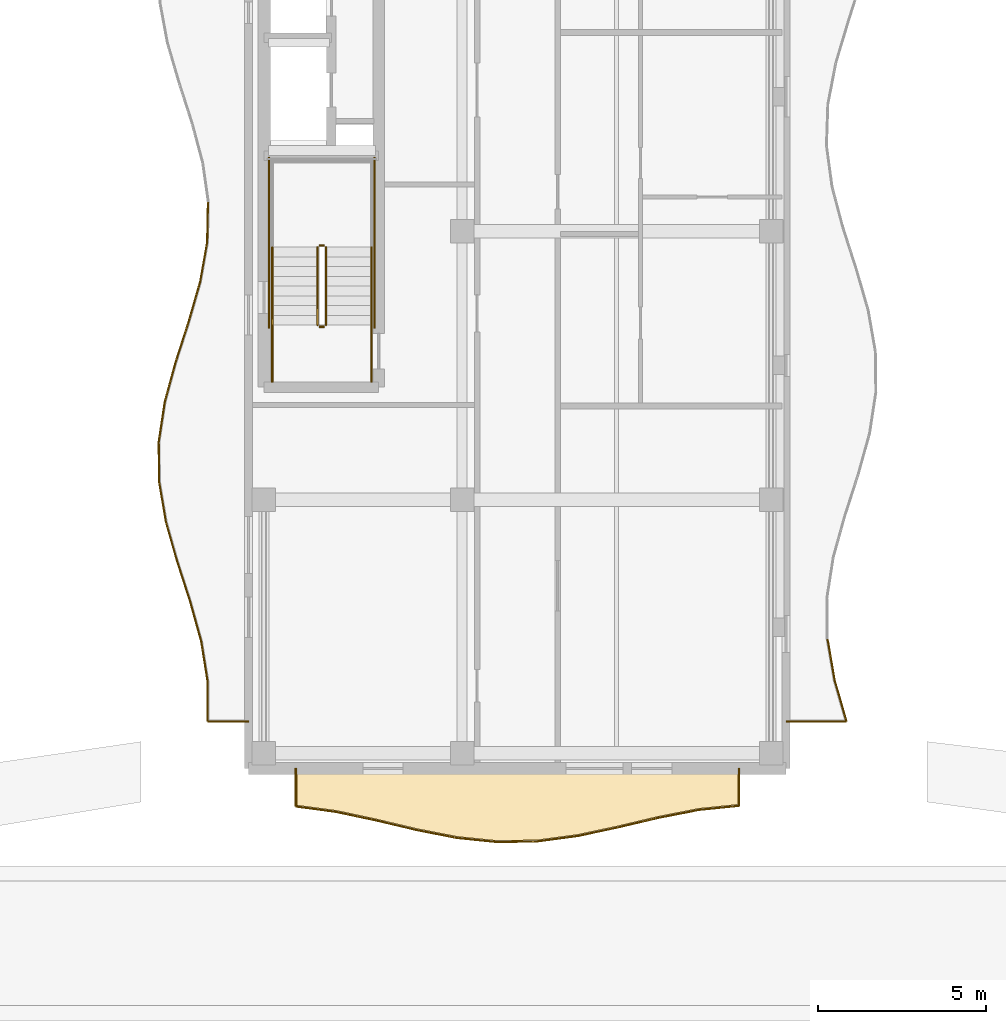
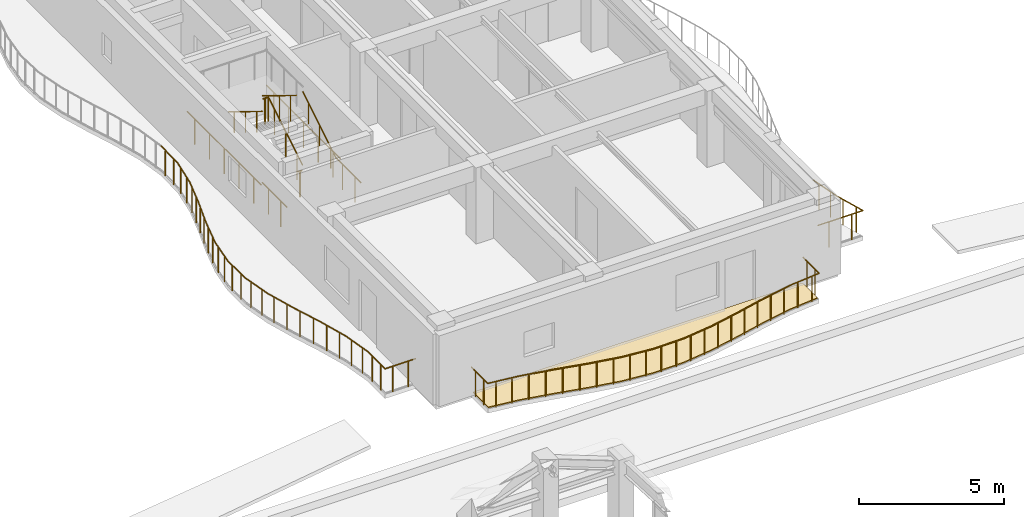
# One storey, part 110 of 128: 40 railings, 1 covering.
"""IFC4 building model written with IfcOpenShell, lengths in metres."""

from ifc_helpers import new_model, si_unit, direction, frame, origin, origin_2d, place, context, subcontext, project, spatial, polyline, circle, outline, extrude, material, layer, layer_set, type_object, element, save


model = new_model("IFC4")

# Units and contexts
model_context = context("Model", 3, precision=1e-05, world=origin(), true_north=direction((0.0, 1.0)))
body_context = subcontext(model_context, "Body", "Model", "MODEL_VIEW")
ifc_project = project(units=[si_unit("LENGTHUNIT", "METRE"), si_unit("AREAUNIT", "SQUARE_METRE"), si_unit("VOLUMEUNIT", "CUBIC_METRE"), si_unit("PLANEANGLEUNIT", "RADIAN"), si_unit("MASSUNIT", "GRAM", prefix="KILO")], contexts=[model_context])

# Site, building, storey
site_placement = place(None, origin())
site = spatial("IfcSite", under=ifc_project, at=site_placement, CompositionType="ELEMENT")
building_placement = place(site_placement, origin())
building = spatial("IfcBuilding", under=site, at=building_placement, Name="Keldmere Railside Commons", CompositionType="ELEMENT")
storey_placement = place(building_placement, frame((0.0, 0.0, 4.159912109375)))
storey = spatial("IfcBuildingStorey", under=building, at=storey_placement, Name="L01", CompositionType="ELEMENT", Elevation=4.159912109375)

# Railings
ifc_material_1 = material(Name="Steel F-24 (S235)", Category="steel")
railing_type_1 = type_object("IfcRailingType", Name="Balcony & Terrace Steel Balustrade 1100", PredefinedType="BALUSTRADE", material=ifc_material_1)
railing_1_placement = place(storey_placement, frame((120.0, 57.39990234375, 0.0)))
element("IfcRailing", 1, at=railing_1_placement, inside=storey, type_object=railing_type_1, Name="GR-1 GRD-L01-1881", PredefinedType="BALUSTRADE", context=body_context, shape_type="SweptSolid", body=[
    extrude(circle(Radius=0.02392578125, at=origin_2d()), frame((0.0, 0.0, 1.076171875), z_axis=(1.0, 0.0, 0.0), x_axis=(0.0, 1.0, 0.0)), (0.0, 0.0, 1.0), 1.794921875),
    extrude(circle(Radius=0.02099609375, at=origin_2d()), frame((0.44873046875, 0.0, 0.0)), (0.0, 0.0, 1.0), 1.048095703125),
    extrude(circle(Radius=0.02099609375, at=origin_2d()), frame((1.34619140625, 0.0, 0.0)), (0.0, 0.0, 1.0), 1.048095703125),
])
railing_2_placement = place(storey_placement, frame((121.794921875, 57.39990234375, 0.0)))
element("IfcRailing", 2, at=railing_2_placement, inside=storey, type_object=railing_type_1, Name="GR-1 GRD-L01-1882", PredefinedType="BALUSTRADE", context=body_context, shape_type="SweptSolid", body=[
    extrude(circle(Radius=0.02392578125, at=origin_2d()), frame((0.0, 0.0, 1.076171875), z_axis=(-0.276364916642, 0.961052773187, 0.0), x_axis=(-0.961052773187, -0.276364916642, 0.0)), (0.0, 0.0, 1.0), 1.274658203125),
    extrude(circle(Radius=0.02099609375, at=origin_2d()), frame((-0.088134765625, 0.30615234375, 0.0)), (0.0, 0.0, 1.0), 1.048095703125),
    extrude(circle(Radius=0.02099609375, at=origin_2d()), frame((-0.26416015625, 0.9189453125, 0.0)), (0.0, 0.0, 1.0), 1.048095703125),
])
railing_3_placement = place(storey_placement, frame((121.442626953125, 58.625, 0.0)))
element("IfcRailing", 3, at=railing_3_placement, inside=storey, type_object=railing_type_1, Name="GR-1 GRD-L01-1883", PredefinedType="BALUSTRADE", context=body_context, shape_type="SweptSolid", body=[
    extrude(circle(Radius=0.02392578125, at=origin_2d()), frame((0.0, 0.0, 1.076171875), z_axis=(-0.169492558024, 0.985531467166, 0.0), x_axis=(-0.985531467166, -0.169492558024, 0.0)), (0.0, 0.0, 1.0), 1.2431640625),
    extrude(circle(Radius=0.02099609375, at=origin_2d()), frame((-0.052734375, 0.30615234375, 0.0)), (0.0, 0.0, 1.0), 1.048095703125),
    extrude(circle(Radius=0.02099609375, at=origin_2d()), frame((-0.157958984375, 0.9189453125, 0.0)), (0.0, 0.0, 1.0), 1.048095703125),
])
railing_4_placement = place(storey_placement, frame((104.0, 57.39990234375, 0.0)))
element("IfcRailing", 4, at=railing_4_placement, inside=storey, type_object=railing_type_1, Name="GR-1 GRD-L01-1907", PredefinedType="BALUSTRADE", context=body_context, shape_type="SweptSolid", body=[
    extrude(circle(Radius=0.02392578125, at=origin_2d()), frame((0.0, 0.0, 1.076171875), z_axis=(-1.0, 0.0, 0.0), x_axis=(0.0, -1.0, 0.0)), (0.0, 0.0, 1.0), 1.2255859375),
    extrude(circle(Radius=0.02099609375, at=origin_2d()), frame((-0.306396484375, 0.0, 0.0)), (0.0, 0.0, 1.0), 1.048095703125),
    extrude(circle(Radius=0.02099609375, at=origin_2d()), frame((-0.919189453125, 0.0, 0.0)), (0.0, 0.0, 1.0), 1.048095703125),
])
railing_5_placement = place(storey_placement, frame((102.7744140625, 57.39990234375, 0.0)))
element("IfcRailing", 5, at=railing_5_placement, inside=storey, type_object=railing_type_1, Name="GR-1 GRD-L01-1908", PredefinedType="BALUSTRADE", context=body_context, shape_type="SweptSolid", body=[
    extrude(circle(Radius=0.02392578125, at=origin_2d()), frame((0.0, 0.0, 1.076171875), z_axis=(0.000821354959, 0.999999662688, 0.0), x_axis=(-0.999999662688, 0.000821354959, 0.0)), (0.0, 0.0, 1.0), 1.18896484375),
    extrude(circle(Radius=0.02099609375, at=origin_2d()), frame((0.000244140625, 0.29736328125, 0.0)), (0.0, 0.0, 1.0), 1.048095703125),
    extrude(circle(Radius=0.02099609375, at=origin_2d()), frame((0.000732421875, 0.8916015625, 0.0)), (0.0, 0.0, 1.0), 1.048095703125),
])
railing_6_placement = place(storey_placement, frame((102.775390625, 58.5888671875, 0.0)))
element("IfcRailing", 6, at=railing_6_placement, inside=storey, type_object=railing_type_1, Name="GR-1 GRD-L01-1909", PredefinedType="BALUSTRADE", context=body_context, shape_type="SweptSolid", body=[
    extrude(circle(Radius=0.02392578125, at=origin_2d()), frame((0.0, 0.0, 1.076171875), z_axis=(-0.157555517819, 0.987510130988, 0.0), x_axis=(-0.987510130988, -0.157555517819, 0.0)), (0.0, 0.0, 1.0), 1.2041015625),
    extrude(circle(Radius=0.02099609375, at=origin_2d()), frame((-0.04736328125, 0.29736328125, 0.0)), (0.0, 0.0, 1.0), 1.048095703125),
    extrude(circle(Radius=0.02099609375, at=origin_2d()), frame((-0.142333984375, 0.8916015625, 0.0)), (0.0, 0.0, 1.0), 1.048095703125),
])
railing_7_placement = place(storey_placement, frame((102.585693359375, 59.77783203125, 0.0)))
element("IfcRailing", 7, at=railing_7_placement, inside=storey, type_object=railing_type_1, Name="GR-1 GRD-L01-1910", PredefinedType="BALUSTRADE", context=body_context, shape_type="SweptSolid", body=[
    extrude(circle(Radius=0.02392578125, at=origin_2d()), frame((0.0, 0.0, 1.076171875), z_axis=(-0.268051958725, 0.963404456821, 0.0), x_axis=(-0.963404456821, -0.268051958725, 0.0)), (0.0, 0.0, 1.0), 1.234130859375),
    extrude(circle(Radius=0.02099609375, at=origin_2d()), frame((-0.082763671875, 0.29736328125, 0.0)), (0.0, 0.0, 1.0), 1.048095703125),
    extrude(circle(Radius=0.02099609375, at=origin_2d()), frame((-0.248046875, 0.8916015625, 0.0)), (0.0, 0.0, 1.0), 1.048095703125),
])
railing_8_placement = place(storey_placement, frame((102.2548828125, 60.966796875, 0.0)))
element("IfcRailing", 8, at=railing_8_placement, inside=storey, type_object=railing_type_1, Name="GR-1 GRD-L01-1911", PredefinedType="BALUSTRADE", context=body_context, shape_type="SweptSolid", body=[
    extrude(circle(Radius=0.02392578125, at=origin_2d()), frame((0.0, 0.0, 1.076171875), z_axis=(-0.307773459681, 0.951459666784, 0.0), x_axis=(-0.951459666784, -0.307773459681, 0.0)), (0.0, 0.0, 1.0), 1.249267578125),
    extrude(circle(Radius=0.02099609375, at=origin_2d()), frame((-0.09619140625, 0.297119140625, 0.0)), (0.0, 0.0, 1.0), 1.048095703125),
    extrude(circle(Radius=0.02099609375, at=origin_2d()), frame((-0.288330078125, 0.8916015625, 0.0)), (0.0, 0.0, 1.0), 1.048095703125),
])
railing_9_placement = place(storey_placement, frame((101.870361328125, 62.155517578125, 0.0)))
element("IfcRailing", 9, at=railing_9_placement, inside=storey, type_object=railing_type_1, Name="GR-1 GRD-L01-1912", PredefinedType="BALUSTRADE", context=body_context, shape_type="SweptSolid", body=[
    extrude(circle(Radius=0.02392578125, at=origin_2d()), frame((0.0, 0.0, 1.076171875), z_axis=(-0.272998744595, 0.962014389419, 0.0), x_axis=(-0.962014389419, -0.272998744595, 0.0)), (0.0, 0.0, 1.0), 1.23583984375),
    extrude(circle(Radius=0.02099609375, at=origin_2d()), frame((-0.08447265625, 0.29736328125, 0.0)), (0.0, 0.0, 1.0), 1.048095703125),
    extrude(circle(Radius=0.02099609375, at=origin_2d()), frame((-0.2529296875, 0.8916015625, 0.0)), (0.0, 0.0, 1.0), 1.048095703125),
])
railing_10_placement = place(storey_placement, frame((101.532958984375, 63.344482421875, 0.0)))
element("IfcRailing", 10, at=railing_10_placement, inside=storey, type_object=railing_type_1, Name="GR-1 GRD-L01-1913", PredefinedType="BALUSTRADE", context=body_context, shape_type="SweptSolid", body=[
    extrude(circle(Radius=0.02392578125, at=origin_2d()), frame((0.0, 0.0, 1.076171875), z_axis=(-0.167058185806, 0.985947038413, 0.0), x_axis=(-0.985947038413, -0.167058185806, 0.0)), (0.0, 0.0, 1.0), 1.20556640625),
    extrude(circle(Radius=0.02099609375, at=origin_2d()), frame((-0.05029296875, 0.297119140625, 0.0)), (0.0, 0.0, 1.0), 1.048095703125),
    extrude(circle(Radius=0.02099609375, at=origin_2d()), frame((-0.151123046875, 0.8916015625, 0.0)), (0.0, 0.0, 1.0), 1.048095703125),
])
railing_11_placement = place(storey_placement, frame((101.33154296875, 64.533203125, 0.0)))
element("IfcRailing", 11, at=railing_11_placement, inside=storey, type_object=railing_type_1, Name="GR-1 GRD-L01-1914", PredefinedType="BALUSTRADE", context=body_context, shape_type="SweptSolid", body=[
    extrude(circle(Radius=0.02392578125, at=origin_2d()), frame((0.0, 0.0, 1.076171875), z_axis=(-0.010266399375, 0.999947299133, 0.0), x_axis=(-0.999947299133, -0.010266399375, 0.0)), (0.0, 0.0, 1.0), 1.18896484375),
    extrude(circle(Radius=0.02099609375, at=origin_2d()), frame((-0.0029296875, 0.29736328125, 0.0)), (0.0, 0.0, 1.0), 1.048095703125),
    extrude(circle(Radius=0.02099609375, at=origin_2d()), frame((-0.00927734375, 0.8916015625, 0.0)), (0.0, 0.0, 1.0), 1.048095703125),
])
railing_12_placement = place(storey_placement, frame((101.3193359375, 65.72216796875, 0.0)))
element("IfcRailing", 12, at=railing_12_placement, inside=storey, type_object=railing_type_1, Name="GR-1 GRD-L01-1915", PredefinedType="BALUSTRADE", context=body_context, shape_type="SweptSolid", body=[
    extrude(circle(Radius=0.02392578125, at=origin_2d()), frame((0.0, 0.0, 1.076171875), z_axis=(0.149630963343, 0.988741915168, 0.0), x_axis=(-0.988741915168, 0.149630963343, 0.0)), (0.0, 0.0, 1.0), 1.202392578125),
    extrude(circle(Radius=0.02099609375, at=origin_2d()), frame((0.044921875, 0.29736328125, 0.0)), (0.0, 0.0, 1.0), 1.048095703125),
    extrude(circle(Radius=0.02099609375, at=origin_2d()), frame((0.135009765625, 0.8916015625, 0.0)), (0.0, 0.0, 1.0), 1.048095703125),
])
railing_13_placement = place(storey_placement, frame((101.499267578125, 66.9111328125, 0.0)))
element("IfcRailing", 13, at=railing_13_placement, inside=storey, type_object=railing_type_1, Name="GR-1 GRD-L01-1916", PredefinedType="BALUSTRADE", context=body_context, shape_type="SweptSolid", body=[
    extrude(circle(Radius=0.02392578125, at=origin_2d()), frame((0.0, 0.0, 1.076171875), z_axis=(0.263452610118, 0.964672339306, 0.0), x_axis=(-0.964672339306, 0.263452610118, 0.0)), (0.0, 0.0, 1.0), 1.232421875),
    extrude(circle(Radius=0.02099609375, at=origin_2d()), frame((0.0810546875, 0.29736328125, 0.0)), (0.0, 0.0, 1.0), 1.048095703125),
    extrude(circle(Radius=0.02099609375, at=origin_2d()), frame((0.24365234375, 0.8916015625, 0.0)), (0.0, 0.0, 1.0), 1.048095703125),
])
railing_14_placement = place(storey_placement, frame((101.823974609375, 68.10009765625, 0.0)))
element("IfcRailing", 14, at=railing_14_placement, inside=storey, type_object=railing_type_1, Name="GR-1 GRD-L01-1917", PredefinedType="BALUSTRADE", context=body_context, shape_type="SweptSolid", body=[
    extrude(circle(Radius=0.02392578125, at=origin_2d()), frame((0.0, 0.0, 1.076171875), z_axis=(0.307596542281, 0.95151687698, 0.0), x_axis=(-0.95151687698, 0.307596542281, 0.0)), (0.0, 0.0, 1.0), 1.249267578125),
    extrude(circle(Radius=0.02099609375, at=origin_2d()), frame((0.09619140625, 0.297119140625, 0.0)), (0.0, 0.0, 1.0), 1.048095703125),
    extrude(circle(Radius=0.02099609375, at=origin_2d()), frame((0.2880859375, 0.8916015625, 0.0)), (0.0, 0.0, 1.0), 1.048095703125),
])
railing_15_placement = place(storey_placement, frame((102.208251953125, 69.288818359375, 0.0)))
element("IfcRailing", 15, at=railing_15_placement, inside=storey, type_object=railing_type_1, Name="GR-1 GRD-L01-1918", PredefinedType="BALUSTRADE", context=body_context, shape_type="SweptSolid", body=[
    extrude(circle(Radius=0.02392578125, at=origin_2d()), frame((0.0, 0.0, 1.076171875), z_axis=(0.277013529605, 0.960866017932, 0.0), x_axis=(-0.960866017932, 0.277013529605, 0.0)), (0.0, 0.0, 1.0), 1.2373046875),
    extrude(circle(Radius=0.02099609375, at=origin_2d()), frame((0.085693359375, 0.29736328125, 0.0)), (0.0, 0.0, 1.0), 1.048095703125),
    extrude(circle(Radius=0.02099609375, at=origin_2d()), frame((0.257080078125, 0.8916015625, 0.0)), (0.0, 0.0, 1.0), 1.048095703125),
])
railing_16_placement = place(storey_placement, frame((102.551025390625, 70.477783203125, 0.0)))
element("IfcRailing", 16, at=railing_16_placement, inside=storey, type_object=railing_type_1, Name="GR-1 GRD-L01-1919", PredefinedType="BALUSTRADE", context=body_context, shape_type="SweptSolid", body=[
    extrude(circle(Radius=0.02392578125, at=origin_2d()), frame((0.0, 0.0, 1.076171875), z_axis=(0.174488879216, 0.984659144593, 0.0), x_axis=(-0.984659144593, 0.174488879216, 0.0)), (0.0, 0.0, 1.0), 1.20751953125),
    extrude(circle(Radius=0.02099609375, at=origin_2d()), frame((0.052734375, 0.29736328125, 0.0)), (0.0, 0.0, 1.0), 1.048095703125),
    extrude(circle(Radius=0.02099609375, at=origin_2d()), frame((0.157958984375, 0.8916015625, 0.0)), (0.0, 0.0, 1.0), 1.048095703125),
])
railing_17_placement = place(storey_placement, frame((102.76171875, 71.666748046875, 0.0)))
element("IfcRailing", 17, at=railing_17_placement, inside=storey, type_object=railing_type_1, Name="GR-1 GRD-L01-1920", PredefinedType="BALUSTRADE", context=body_context, shape_type="SweptSolid", body=[
    extrude(circle(Radius=0.02392578125, at=origin_2d()), frame((0.0, 0.0, 1.076171875), z_axis=(0.019913914731, 0.999801698338, 0.0), x_axis=(-0.999801698338, 0.019913914731, 0.0)), (0.0, 0.0, 1.0), 1.189208984375),
    extrude(circle(Radius=0.02099609375, at=origin_2d()), frame((0.005859375, 0.29736328125, 0.0)), (0.0, 0.0, 1.0), 1.048095703125),
    extrude(circle(Radius=0.02099609375, at=origin_2d()), frame((0.017822265625, 0.8916015625, 0.0)), (0.0, 0.0, 1.0), 1.048095703125),
])
railing_18_placement = place(storey_placement, frame((105.39990234375, 56.0, 0.0)))
element("IfcRailing", 18, at=railing_18_placement, inside=storey, type_object=railing_type_1, Name="GR-1 GRD-L01-1962", PredefinedType="BALUSTRADE", context=body_context, shape_type="SweptSolid", body=[
    extrude(circle(Radius=0.02392578125, at=origin_2d()), frame((0.0, 0.0, 1.076171875), z_axis=(0.0, -1.0, 0.0), x_axis=(1.0, 0.0, 0.0)), (0.0, 0.0, 1.0), 1.131103515625),
    extrude(circle(Radius=0.02099609375, at=origin_2d()), frame((0.0, -0.28271484375, 0.0)), (0.0, 0.0, 1.0), 1.048095703125),
    extrude(circle(Radius=0.02099609375, at=origin_2d()), frame((0.0, -0.848388671875, 0.0)), (0.0, 0.0, 1.0), 1.048095703125),
])
railing_19_placement = place(storey_placement, frame((105.39990234375, 54.868896484375, 0.0)))
element("IfcRailing", 19, at=railing_19_placement, inside=storey, type_object=railing_type_1, Name="GR-1 GRD-L01-1963", PredefinedType="BALUSTRADE", context=body_context, shape_type="SweptSolid", body=[
    extrude(circle(Radius=0.02392578125, at=origin_2d()), frame((0.0, 0.0, 1.076171875), z_axis=(0.991160860662, -0.132665550512, 0.0), x_axis=(0.132665550512, 0.991160860662, 0.0)), (0.0, 0.0, 1.0), 1.2109375),
    extrude(circle(Radius=0.02099609375, at=origin_2d()), frame((0.300048828125, -0.0400390625, 0.0)), (0.0, 0.0, 1.0), 1.048095703125),
    extrude(circle(Radius=0.02099609375, at=origin_2d()), frame((0.900146484375, -0.12060546875, 0.0)), (0.0, 0.0, 1.0), 1.048095703125),
])
railing_20_placement = place(storey_placement, frame((106.60009765625, 54.708251953125, 0.0)))
element("IfcRailing", 20, at=railing_20_placement, inside=storey, type_object=railing_type_1, Name="GR-1 GRD-L01-1964", PredefinedType="BALUSTRADE", context=body_context, shape_type="SweptSolid", body=[
    extrude(circle(Radius=0.02392578125, at=origin_2d()), frame((0.0, 0.0, 1.076171875), z_axis=(0.977892583641, -0.20910785461, 0.0), x_axis=(0.20910785461, 0.977892583641, 0.0)), (0.0, 0.0, 1.0), 1.22705078125),
    extrude(circle(Radius=0.02099609375, at=origin_2d()), frame((0.300048828125, -0.064208984375, 0.0)), (0.0, 0.0, 1.0), 1.048095703125),
    extrude(circle(Radius=0.02099609375, at=origin_2d()), frame((0.89990234375, -0.1923828125, 0.0)), (0.0, 0.0, 1.0), 1.048095703125),
])
railing_21_placement = place(storey_placement, frame((107.800048828125, 54.45166015625, 0.0)))
element("IfcRailing", 21, at=railing_21_placement, inside=storey, type_object=railing_type_1, Name="GR-1 GRD-L01-1965", PredefinedType="BALUSTRADE", context=body_context, shape_type="SweptSolid", body=[
    extrude(circle(Radius=0.02392578125, at=origin_2d()), frame((0.0, 0.0, 1.076171875), z_axis=(0.973128173915, -0.230264103004, 0.0), x_axis=(0.230264103004, 0.973128173915, 0.0)), (0.0, 0.0, 1.0), 1.233154296875),
    extrude(circle(Radius=0.02099609375, at=origin_2d()), frame((0.300048828125, -0.071044921875, 0.0)), (0.0, 0.0, 1.0), 1.048095703125),
    extrude(circle(Radius=0.02099609375, at=origin_2d()), frame((0.89990234375, -0.212890625, 0.0)), (0.0, 0.0, 1.0), 1.048095703125),
])
railing_22_placement = place(storey_placement, frame((109.0, 54.167724609375, 0.0)))
element("IfcRailing", 22, at=railing_22_placement, inside=storey, type_object=railing_type_1, Name="GR-1 GRD-L01-1966", PredefinedType="BALUSTRADE", context=body_context, shape_type="SweptSolid", body=[
    extrude(circle(Radius=0.02392578125, at=origin_2d()), frame((0.0, 0.0, 1.076171875), z_axis=(0.981378747174, -0.192082676456, 0.0), x_axis=(0.192082676456, 0.981378747174, 0.0)), (0.0, 0.0, 1.0), 1.22265625),
    extrude(circle(Radius=0.02099609375, at=origin_2d()), frame((0.300048828125, -0.05859375, 0.0)), (0.0, 0.0, 1.0), 1.048095703125),
    extrude(circle(Radius=0.02099609375, at=origin_2d()), frame((0.89990234375, -0.17626953125, 0.0)), (0.0, 0.0, 1.0), 1.048095703125),
])
railing_23_placement = place(storey_placement, frame((110.199951171875, 53.932861328125, 0.0)))
element("IfcRailing", 23, at=railing_23_placement, inside=storey, type_object=railing_type_1, Name="GR-1 GRD-L01-1967", PredefinedType="BALUSTRADE", context=body_context, shape_type="SweptSolid", body=[
    extrude(circle(Radius=0.02392578125, at=origin_2d()), frame((0.0, 0.0, 1.076171875), z_axis=(0.99476298707, -0.102208608031, 0.0), x_axis=(0.102208608031, 0.99476298707, 0.0)), (0.0, 0.0, 1.0), 1.206298828125),
    extrude(circle(Radius=0.02099609375, at=origin_2d()), frame((0.300048828125, -0.03076171875, 0.0)), (0.0, 0.0, 1.0), 1.048095703125),
    extrude(circle(Radius=0.02099609375, at=origin_2d()), frame((0.89990234375, -0.092529296875, 0.0)), (0.0, 0.0, 1.0), 1.048095703125),
])
railing_24_placement = place(storey_placement, frame((111.39990234375, 53.8095703125, 0.0)))
element("IfcRailing", 24, at=railing_24_placement, inside=storey, type_object=railing_type_1, Name="GR-1 GRD-L01-1968", PredefinedType="BALUSTRADE", context=body_context, shape_type="SweptSolid", body=[
    extrude(circle(Radius=0.02392578125, at=origin_2d()), frame((0.0, 0.0, 1.076171875), z_axis=(0.999839820386, 0.01789786497, 0.0), x_axis=(-0.01789786497, 0.999839820386, 0.0)), (0.0, 0.0, 1.0), 1.200439453125),
    extrude(circle(Radius=0.02099609375, at=origin_2d()), frame((0.300048828125, 0.00537109375, 0.0)), (0.0, 0.0, 1.0), 1.048095703125),
    extrude(circle(Radius=0.02099609375, at=origin_2d()), frame((0.900146484375, 0.01611328125, 0.0)), (0.0, 0.0, 1.0), 1.048095703125),
])
railing_25_placement = place(storey_placement, frame((112.60009765625, 53.8310546875, 0.0)))
element("IfcRailing", 25, at=railing_25_placement, inside=storey, type_object=railing_type_1, Name="GR-1 GRD-L01-1969", PredefinedType="BALUSTRADE", context=body_context, shape_type="SweptSolid", body=[
    extrude(circle(Radius=0.02392578125, at=origin_2d()), frame((0.0, 0.0, 1.076171875), z_axis=(0.991157311067, 0.13269206728, 0.0), x_axis=(-0.13269206728, 0.991157311067, 0.0)), (0.0, 0.0, 1.0), 1.210693359375),
    extrude(circle(Radius=0.02099609375, at=origin_2d()), frame((0.300048828125, 0.0400390625, 0.0)), (0.0, 0.0, 1.0), 1.048095703125),
    extrude(circle(Radius=0.02099609375, at=origin_2d()), frame((0.89990234375, 0.12060546875, 0.0)), (0.0, 0.0, 1.0), 1.048095703125),
])
railing_26_placement = place(storey_placement, frame((113.800048828125, 53.99169921875, 0.0)))
element("IfcRailing", 26, at=railing_26_placement, inside=storey, type_object=railing_type_1, Name="GR-1 GRD-L01-1970", PredefinedType="BALUSTRADE", context=body_context, shape_type="SweptSolid", body=[
    extrude(circle(Radius=0.02392578125, at=origin_2d()), frame((0.0, 0.0, 1.076171875), z_axis=(0.977892583641, 0.20910785461, 0.0), x_axis=(-0.20910785461, 0.977892583641, 0.0)), (0.0, 0.0, 1.0), 1.22705078125),
    extrude(circle(Radius=0.02099609375, at=origin_2d()), frame((0.300048828125, 0.064208984375, 0.0)), (0.0, 0.0, 1.0), 1.048095703125),
    extrude(circle(Radius=0.02099609375, at=origin_2d()), frame((0.89990234375, 0.1923828125, 0.0)), (0.0, 0.0, 1.0), 1.048095703125),
])
railing_27_placement = place(storey_placement, frame((115.0, 54.248291015625, 0.0)))
element("IfcRailing", 27, at=railing_27_placement, inside=storey, type_object=railing_type_1, Name="GR-1 GRD-L01-1971", PredefinedType="BALUSTRADE", context=body_context, shape_type="SweptSolid", body=[
    extrude(circle(Radius=0.02392578125, at=origin_2d()), frame((0.0, 0.0, 1.076171875), z_axis=(0.973128173915, 0.230264103004, 0.0), x_axis=(-0.230264103004, 0.973128173915, 0.0)), (0.0, 0.0, 1.0), 1.233154296875),
    extrude(circle(Radius=0.02099609375, at=origin_2d()), frame((0.300048828125, 0.071044921875, 0.0)), (0.0, 0.0, 1.0), 1.048095703125),
    extrude(circle(Radius=0.02099609375, at=origin_2d()), frame((0.89990234375, 0.212890625, 0.0)), (0.0, 0.0, 1.0), 1.048095703125),
])
railing_28_placement = place(storey_placement, frame((116.199951171875, 54.5322265625, 0.0)))
element("IfcRailing", 28, at=railing_28_placement, inside=storey, type_object=railing_type_1, Name="GR-1 GRD-L01-1972", PredefinedType="BALUSTRADE", context=body_context, shape_type="SweptSolid", body=[
    extrude(circle(Radius=0.02392578125, at=origin_2d()), frame((0.0, 0.0, 1.076171875), z_axis=(0.981378747174, 0.192082676456, 0.0), x_axis=(-0.192082676456, 0.981378747174, 0.0)), (0.0, 0.0, 1.0), 1.22265625),
    extrude(circle(Radius=0.02099609375, at=origin_2d()), frame((0.300048828125, 0.05859375, 0.0)), (0.0, 0.0, 1.0), 1.048095703125),
    extrude(circle(Radius=0.02099609375, at=origin_2d()), frame((0.89990234375, 0.17626953125, 0.0)), (0.0, 0.0, 1.0), 1.048095703125),
])
railing_29_placement = place(storey_placement, frame((117.39990234375, 54.76708984375, 0.0)))
element("IfcRailing", 29, at=railing_29_placement, inside=storey, type_object=railing_type_1, Name="GR-1 GRD-L01-1973", PredefinedType="BALUSTRADE", context=body_context, shape_type="SweptSolid", body=[
    extrude(circle(Radius=0.02392578125, at=origin_2d()), frame((0.0, 0.0, 1.076171875), z_axis=(0.994765100753, 0.10218803415, 0.0), x_axis=(-0.10218803415, 0.994765100753, 0.0)), (0.0, 0.0, 1.0), 1.20654296875),
    extrude(circle(Radius=0.02099609375, at=origin_2d()), frame((0.300048828125, 0.03076171875, 0.0)), (0.0, 0.0, 1.0), 1.048095703125),
    extrude(circle(Radius=0.02099609375, at=origin_2d()), frame((0.900146484375, 0.092529296875, 0.0)), (0.0, 0.0, 1.0), 1.048095703125),
])
railing_30_placement = place(storey_placement, frame((118.60009765625, 54.890380859375, 0.0)))
element("IfcRailing", 30, at=railing_30_placement, inside=storey, type_object=railing_type_1, Name="GR-1 GRD-L01-1974", PredefinedType="BALUSTRADE", context=body_context, shape_type="SweptSolid", body=[
    extrude(circle(Radius=0.02392578125, at=origin_2d()), frame((0.0, 0.0, 1.076171875), z_axis=(0.0, 1.0, 0.0), x_axis=(-1.0, 0.0, 0.0)), (0.0, 0.0, 1.0), 1.109619140625),
    extrude(circle(Radius=0.02099609375, at=origin_2d()), frame((0.0, 0.27734375, 0.0)), (0.0, 0.0, 1.0), 1.048095703125),
    extrude(circle(Radius=0.02099609375, at=origin_2d()), frame((0.0, 0.832275390625, 0.0)), (0.0, 0.0, 1.0), 1.048095703125),
])
railing_type_2 = type_object("IfcRailingType", Name="Stair Well Steel Guardrail 1100", PredefinedType="BALUSTRADE", material=ifc_material_1)
railing_31_placement = place(storey_placement, frame((106.300048828125, 69.199951171875, 0.177978515625)))
element("IfcRailing", 31, at=railing_31_placement, inside=storey, type_object=railing_type_2, Name="L01 ST-B1 stair guard 1", PredefinedType="BALUSTRADE", context=body_context, shape_type="SweptSolid", body=[
    extrude(circle(Radius=0.02392578125, at=origin_2d()), frame((0.0, 0.0, 1.076171875), z_axis=(0.0, 0.852578041948, 0.522599925744), x_axis=(-1.0, 0.0, 0.0)), (0.0, 0.0, 1.0), 2.72119140625),
    extrude(circle(Radius=0.02099609375, at=origin_2d()), frame((0.0, 0.38671875, 0.237060546875)), (0.0, 0.0, 1.0), 1.048095703125),
    extrude(circle(Radius=0.02099609375, at=origin_2d()), frame((0.0, 1.16015625, 0.7109375)), (0.0, 0.0, 1.0), 1.048095703125),
    extrude(circle(Radius=0.02099609375, at=origin_2d()), frame((0.0, 1.933349609375, 1.18505859375)), (0.0, 0.0, 1.0), 1.048095703125),
])
railing_32_placement = place(storey_placement, frame((106.25, 71.570068359375, 1.60009765625)))
element("IfcRailing", 32, at=railing_32_placement, inside=storey, type_object=railing_type_2, Name="L01 ST-B1 stair guard 2", PredefinedType="BALUSTRADE", context=body_context, shape_type="SweptSolid", body=[
    extrude(circle(Radius=0.02392578125, at=origin_2d()), frame((0.0, 0.0, 1.076171875), z_axis=(-1.0, 0.0, 0.0), x_axis=(0.0, -1.0, 0.0)), (0.0, 0.0, 1.0), 0.14990234375),
    extrude(circle(Radius=0.02099609375, at=origin_2d()), frame((-0.074951171875, 0.0, 0.0)), (0.0, 0.0, 1.0), 1.048095703125),
])
railing_33_placement = place(storey_placement, frame((106.050048828125, 71.52001953125, 1.77783203125)))
element("IfcRailing", 33, at=railing_33_placement, inside=storey, type_object=railing_type_2, Name="L01 ST-B1 stair guard 6", PredefinedType="BALUSTRADE", context=body_context, shape_type="SweptSolid", body=[
    extrude(circle(Radius=0.02392578125, at=origin_2d()), frame((0.0, 0.0, 1.076171875), z_axis=(0.0, -0.852538067394, 0.522665135287), x_axis=(1.0, 0.0, 0.0)), (0.0, 0.0, 1.0), 2.721435546875),
    extrude(circle(Radius=0.02099609375, at=origin_2d()), frame((0.0, -0.38671875, 0.237060546875)), (0.0, 0.0, 1.0), 1.048095703125),
    extrude(circle(Radius=0.02099609375, at=origin_2d()), frame((0.0, -1.16015625, 0.711181640625)), (0.0, 0.0, 1.0), 1.048095703125),
    extrude(circle(Radius=0.02099609375, at=origin_2d()), frame((0.0, -1.933349609375, 1.185302734375)), (0.0, 0.0, 1.0), 1.048095703125),
])
railing_34_placement = place(storey_placement, frame((106.25, 69.14990234375, 0.0)))
element("IfcRailing", 34, at=railing_34_placement, inside=storey, type_object=railing_type_2, Name="L01 ST-B1 stair guard 7", PredefinedType="BALUSTRADE", context=body_context, shape_type="SweptSolid", body=[
    extrude(circle(Radius=0.02392578125, at=origin_2d()), frame((0.0, 0.0, 1.076171875), z_axis=(-1.0, 0.0, 0.0), x_axis=(0.0, -1.0, 0.0)), (0.0, 0.0, 1.0), 0.14990234375),
    extrude(circle(Radius=0.02099609375, at=origin_2d()), frame((-0.074951171875, 0.0, 0.0)), (0.0, 0.0, 1.0), 1.048095703125),
])
for number, where, name in (
    (35, (107.64990234375, 67.5, 0.0), "L01 ST-B1 stair guard 8"),
    (36, (104.699951171875, 67.5, 0.0), "L01 ST-B1 stair guard 9"),
):
    element("IfcRailing", number, at=place(storey_placement, frame(where)), inside=storey, type_object=railing_type_2, Name=name, PredefinedType="BALUSTRADE", context=body_context, shape_type="SweptSolid", body=[
        extrude(circle(Radius=0.02392578125, at=origin_2d()), frame((0.0, 0.0, 1.076171875), z_axis=(0.0, 1.0, 0.0), x_axis=(-1.0, 0.0, 0.0)), (0.0, 0.0, 1.0), 1.699951171875),
        extrude(circle(Radius=0.02099609375, at=origin_2d()), frame((0.0, 0.425048828125, 0.0)), (0.0, 0.0, 1.0), 1.048095703125),
        extrude(circle(Radius=0.02099609375, at=origin_2d()), frame((0.0, 1.27490234375, 0.0)), (0.0, 0.0, 1.0), 1.048095703125),
    ])
for number, where, name in (
    (37, (107.75, 69.10009765625, 0.0), "L01 ST-B1 stair guard 10"),
    (38, (104.60009765625, 69.10009765625, 0.0), "L01 ST-B1 stair guard 11"),
):
    element("IfcRailing", number, at=place(storey_placement, frame(where)), inside=storey, type_object=railing_type_2, Name=name, PredefinedType="BALUSTRADE", context=body_context, shape_type="SweptSolid", body=[
        extrude(circle(Radius=0.02392578125, at=origin_2d()), frame((0.0, 0.0, 1.076171875), z_axis=(0.0, 1.0, 0.0), x_axis=(-1.0, 0.0, 0.0)), (0.0, 0.0, 1.0), 5.099853515625),
        extrude(circle(Radius=0.02099609375, at=origin_2d()), frame((0.0, 0.510009765625, 0.0)), (0.0, 0.0, 1.0), 1.048095703125),
        extrude(circle(Radius=0.02099609375, at=origin_2d()), frame((0.0, 1.530029296875, 0.0)), (0.0, 0.0, 1.0), 1.048095703125),
        extrude(circle(Radius=0.02099609375, at=origin_2d()), frame((0.0, 2.5498046875, 0.0)), (0.0, 0.0, 1.0), 1.048095703125),
        extrude(circle(Radius=0.02099609375, at=origin_2d()), frame((0.0, 3.56982421875, 0.0)), (0.0, 0.0, 1.0), 1.048095703125),
        extrude(circle(Radius=0.02099609375, at=origin_2d()), frame((0.0, 4.58984375, 0.0)), (0.0, 0.0, 1.0), 1.048095703125),
    ])
railing_type_3 = type_object("IfcRailingType", Name="Wall-Mounted Tubular Steel Handrail 900", PredefinedType="HANDRAIL", material=ifc_material_1)
railing_35_placement = place(storey_placement, frame((107.64990234375, 69.199951171875, 0.177978515625)))
element("IfcRailing", 39, at=railing_35_placement, inside=storey, type_object=railing_type_3, Name="L01 ST-B1 stair handrail 1", PredefinedType="HANDRAIL", context=body_context, shape_type="SweptSolid", body=[
    extrude(circle(Radius=0.02392578125, at=origin_2d()), frame((0.0, 0.0, 0.8759765625), z_axis=(0.0, 0.852578041948, 0.522599925744), x_axis=(-1.0, 0.0, 0.0)), (0.0, 0.0, 1.0), 2.72119140625),
    extrude(circle(Radius=0.02099609375, at=origin_2d()), frame((0.0, 0.38671875, 0.237060546875)), (0.0, 0.0, 1.0), 0.847900390625),
    extrude(circle(Radius=0.02099609375, at=origin_2d()), frame((0.0, 1.16015625, 0.7109375)), (0.0, 0.0, 1.0), 0.847900390625),
    extrude(circle(Radius=0.02099609375, at=origin_2d()), frame((0.0, 1.933349609375, 1.18505859375)), (0.0, 0.0, 1.0), 0.847900390625),
])
railing_36_placement = place(storey_placement, frame((104.699951171875, 71.52001953125, 1.77783203125)))
element("IfcRailing", 40, at=railing_36_placement, inside=storey, type_object=railing_type_3, Name="L01 ST-B1 stair handrail 2", PredefinedType="HANDRAIL", context=body_context, shape_type="SweptSolid", body=[
    extrude(circle(Radius=0.02392578125, at=origin_2d()), frame((0.0, 0.0, 0.8759765625), z_axis=(0.0, -0.852538067394, 0.522665135287), x_axis=(1.0, 0.0, 0.0)), (0.0, 0.0, 1.0), 2.721435546875),
    extrude(circle(Radius=0.02099609375, at=origin_2d()), frame((0.0, -0.38671875, 0.237060546875)), (0.0, 0.0, 1.0), 0.847900390625),
    extrude(circle(Radius=0.02099609375, at=origin_2d()), frame((0.0, -1.16015625, 0.711181640625)), (0.0, 0.0, 1.0), 0.847900390625),
    extrude(circle(Radius=0.02099609375, at=origin_2d()), frame((0.0, -1.933349609375, 1.185302734375)), (0.0, 0.0, 1.0), 0.847900390625),
])

# Covering
ifc_material_2 = material(Name="White Precast Concrete C35/45", Category="concrete")
ifc_layer = layer(ifc_material_2, 0.044921875, Name="White Architectural Balcony Ribbon Cladding 45")
ifc_layer_set = layer_set([ifc_layer], Name="White Precast Concrete C35/45")
covering_type = type_object("IfcCoveringType", Name="White Architectural Balcony Ribbon Cladding 45", PredefinedType="FLOORING", material=ifc_layer_set)
covering_placement = place(storey_placement, origin())
element("IfcCovering", 41, at=covering_placement, inside=storey, type_object=covering_type, Name="CLG-WB B L01 S White Balcony Ribbon", PredefinedType="FLOORING", context=body_context, shape_type="SweptSolid", body=[
    extrude(outline(polyline([(106.605224609375, 54.747802734375), (106.6083984375, 54.747314453125), (107.808349609375, 54.49072265625), (107.80908203125, 54.490478515625), (109.008544921875, 54.206787109375), (110.205810546875, 53.972412109375), (111.401611328125, 53.849609375), (112.596923828125, 53.87109375), (113.793212890625, 54.031005859375), (114.9912109375, 54.287353515625), (116.19091796875, 54.571044921875), (116.1923828125, 54.571533203125), (117.392333984375, 54.806396484375), (117.39599609375, 54.806884765625), (118.56005859375, 54.926513671875), (118.56005859375, 55.9599609375), (105.43994140625, 55.9599609375), (105.43994140625, 54.904052734375), (106.605224609375, 54.747802734375)])), origin(), (0.0, 0.0, 1.0), 0.045166015625),
])

save(model, "model.ifc")
